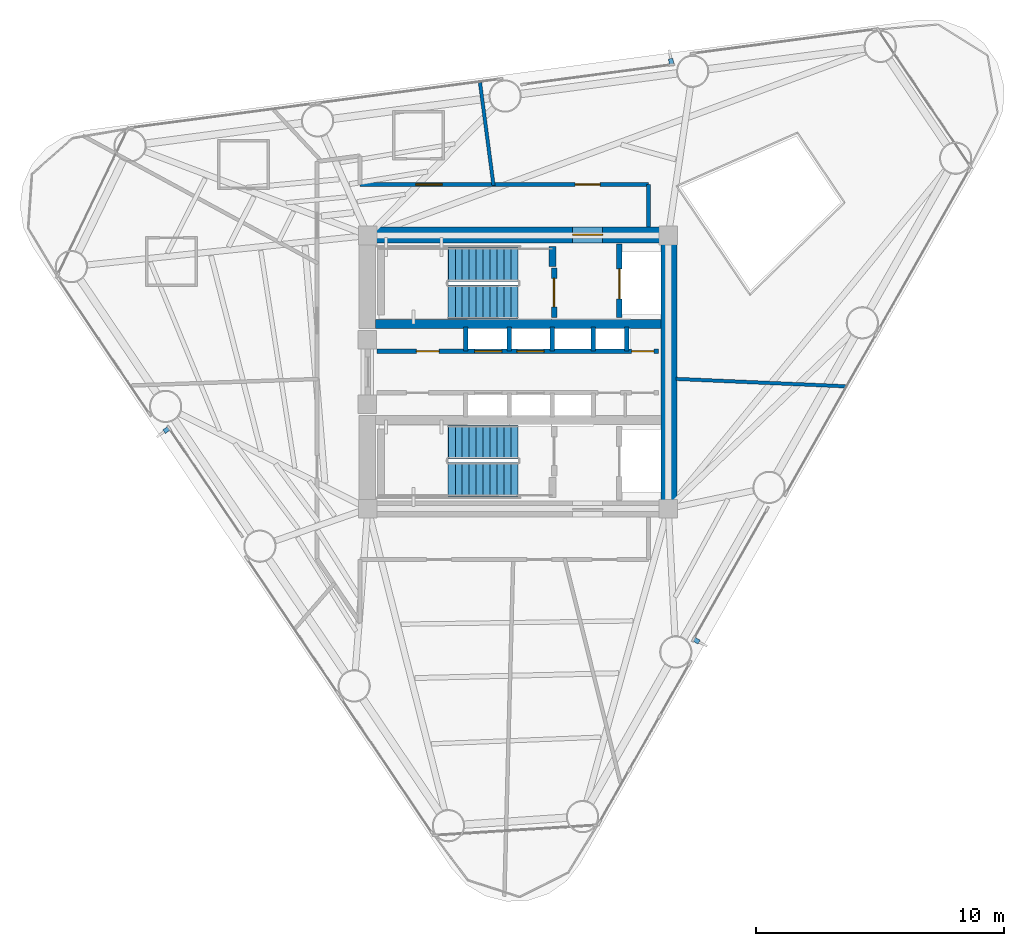
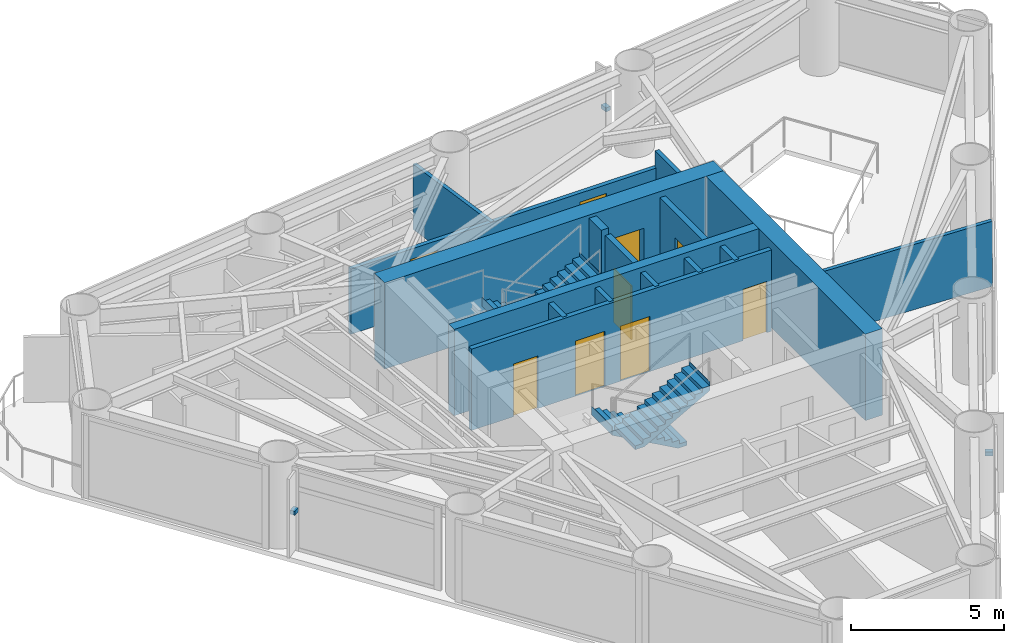
# One storey, part 6 of 9: 16 walls, 9 doors, 4 stair flights, 3 discrete accessories, 9 openings, 2 elements without a shape of their own.
"""IFC4 building model written with IfcOpenShell, lengths in metres."""

import ifcopenshell
import ifcopenshell.guid

model = None  # the IFC model being written
_history = None  # IfcOwnerHistory: only IFC2X3 demands one
_inside = {}  # id of a spatial element -> (the spatial element, [elements in it])
_under = {}  # id of a project, library or spatial element -> (it, [spatial elements below it])
_declared = {}  # id of a project -> (the project, [libraries it declares])
_typed = {}  # id of a type object -> (the type object, [elements of that type])
_made_of = {}  # id of a material, layer set ... -> (it, [elements and type objects made of it])


def new_model(schema):
    """Start an empty IFC model of exactly this schema.

    Asked for "IFC4X3", IfcOpenShell would pick the latest addendum, in which some entities
    have other attributes; the version numbers below select the first issue.
    IFC2X3 requires an IfcOwnerHistory on every rooted entity: one is made here for all.
    """
    global model, _history
    if schema == "IFC4X3":
        model = ifcopenshell.file(schema_version=(4, 3, 0, 0))
    else:
        model = ifcopenshell.file(schema=schema)
    _inside.clear()
    _under.clear()
    _declared.clear()
    _typed.clear()
    _made_of.clear()
    _history = None
    if model.schema == "IFC2X3":
        org = make("IfcOrganization", Name="unknown")
        user = make(
            "IfcPersonAndOrganization",
            ThePerson=make("IfcPerson", FamilyName="unknown"),
            TheOrganization=org,
        )
        app = make(
            "IfcApplication",
            ApplicationDeveloper=org,
            Version="unknown",
            ApplicationFullName="unknown",
            ApplicationIdentifier="unknown",
        )
        _history = make(
            "IfcOwnerHistory",
            OwningUser=user,
            OwningApplication=app,
            ChangeAction="ADDED",
            CreationDate=0,
        )
    return model


def make(cls, **values):
    """One entity of the class cls with the attributes given. An attribute that is None is left unset."""
    return model.create_entity(
        cls, **{name: value for name, value in values.items() if value is not None}
    )


def rooted(cls, **values):
    """An entity with a GlobalId (a new one), such as an element, a storey or a relation."""
    return make(cls, GlobalId=ifcopenshell.guid.new(), OwnerHistory=_history, **values)


def si_unit(unit_type, name, prefix=None):
    """IfcSIUnit, for example si_unit("LENGTHUNIT", "METRE", prefix="MILLI")."""
    return make("IfcSIUnit", UnitType=unit_type, Prefix=prefix, Name=name)


def assignment(units):
    """IfcUnitAssignment: the units of a project."""
    return None if units is None else make("IfcUnitAssignment", Units=units)


def point(xyz):
    """IfcCartesianPoint."""
    return None if xyz is None else make("IfcCartesianPoint", Coordinates=xyz)


def direction(xyz):
    """IfcDirection."""
    return None if xyz is None else make("IfcDirection", DirectionRatios=xyz)


def frame(location, z_axis=None, x_axis=None):
    """IfcAxis2Placement3D, a coordinate frame: its origin and axes. An axis left out is left unset."""
    return make(
        "IfcAxis2Placement3D",
        Location=point(location),
        Axis=direction(z_axis),
        RefDirection=direction(x_axis),
    )


def frame_2d(location, x_axis=None):
    """IfcAxis2Placement2D, a coordinate frame in the plane: its origin and x axis."""
    return make(
        "IfcAxis2Placement2D", Location=point(location), RefDirection=direction(x_axis)
    )


def origin():
    """The frame at (0, 0, 0) with its axes left unset."""
    return frame((0.0, 0.0, 0.0))


def origin_2d():
    """The frame at (0, 0) in the plane with its x axis left unset."""
    return frame_2d((0.0, 0.0))


def place(relative_to, where):
    """IfcLocalPlacement: puts the frame where relative to a parent placement (None: the world)."""
    return make(
        "IfcLocalPlacement", PlacementRelTo=relative_to, RelativePlacement=where
    )


def context(
    kind, dimensions, precision=None, world=None, true_north=None, identifier=None
):
    """IfcGeometricRepresentationContext, for example the 3D "Model" context."""
    return make(
        "IfcGeometricRepresentationContext",
        ContextIdentifier=identifier,
        ContextType=kind,
        CoordinateSpaceDimension=dimensions,
        Precision=precision,
        WorldCoordinateSystem=world,
        TrueNorth=true_north,
    )


def subcontext(parent, identifier, kind, view, scale=None):
    """IfcGeometricRepresentationSubContext, for example "Body" below "Model"."""
    return make(
        "IfcGeometricRepresentationSubContext",
        ContextIdentifier=identifier,
        ContextType=kind,
        ParentContext=parent,
        TargetScale=scale,
        TargetView=view,
    )


def project(units=None, contexts=None):
    """IfcProject with its units and contexts."""
    return rooted(
        "IfcProject",
        Name="project",
        RepresentationContexts=contexts,
        UnitsInContext=assignment(units),
    )


def spatial(cls, under=None, at=None, **own):
    """A site, building, storey or space (cls), placed at a placement, below another one or the project."""
    s = rooted(cls, ObjectPlacement=at, **own)
    if under is not None:
        _under.setdefault(under.id(), (under, []))[1].append(s)
    return s


def polyline(points):
    """IfcPolyline through the points."""
    return make("IfcPolyline", Points=[point(p) for p in points])


def profile(cls, at=None, kind="AREA", **sizes):
    """A parametric profile (cls). Its sizes go by their IFC names, for example OverallWidth=200.0."""
    return make(cls, ProfileType=kind, Position=at, **sizes)


def rectangle(**sizes):
    """IfcRectangleProfileDef."""
    return profile("IfcRectangleProfileDef", **sizes)


def outline(outer, holes=None, kind="AREA"):
    """IfcArbitraryClosedProfileDef: a profile drawn as a closed curve; with holes, ...WithVoids."""
    if holes is None:
        return make("IfcArbitraryClosedProfileDef", ProfileType=kind, OuterCurve=outer)
    return make(
        "IfcArbitraryProfileDefWithVoids",
        ProfileType=kind,
        OuterCurve=outer,
        InnerCurves=holes,
    )


def extrude(swept, where, along, depth):
    """IfcExtrudedAreaSolid: the profile swept, set in the frame where, extruded along a direction by depth."""
    return make(
        "IfcExtrudedAreaSolid",
        SweptArea=swept,
        Position=where,
        ExtrudedDirection=direction(along),
        Depth=depth,
    )


def shape(context_of_items, identifier, shape_type, items):
    """IfcShapeRepresentation: the items that make up one representation, for example the "Body"."""
    return make(
        "IfcShapeRepresentation",
        ContextOfItems=context_of_items,
        RepresentationIdentifier=identifier,
        RepresentationType=shape_type,
        Items=items,
    )


def source(mapping_origin, context_of_items, identifier, shape_type, items):
    """IfcRepresentationMap: a shape defined once, which mapped items show again and again."""
    return make(
        "IfcRepresentationMap",
        MappingOrigin=mapping_origin,
        MappedRepresentation=shape(context_of_items, identifier, shape_type, items),
    )


def transform(
    local_origin,
    x_axis=None,
    y_axis=None,
    z_axis=None,
    scale=None,
    scale2=None,
    scale3=None,
    uniform=True,
):
    """IfcCartesianTransformationOperator3D, or its non-uniform kind. x_axis, y_axis, z_axis: its Axis1, 2, 3."""
    if uniform:
        return make(
            "IfcCartesianTransformationOperator3D",
            Axis1=direction(x_axis),
            Axis2=direction(y_axis),
            LocalOrigin=point(local_origin),
            Scale=scale,
            Axis3=direction(z_axis),
        )
    return make(
        "IfcCartesianTransformationOperator3DnonUniform",
        Axis1=direction(x_axis),
        Axis2=direction(y_axis),
        LocalOrigin=point(local_origin),
        Scale=scale,
        Axis3=direction(z_axis),
        Scale2=scale2,
        Scale3=scale3,
    )


def mapped(mapping_source, mapping_target):
    """IfcMappedItem: shows the shape of a source again, moved by a transform."""
    return make(
        "IfcMappedItem", MappingSource=mapping_source, MappingTarget=mapping_target
    )


def material(Name=None, Category=None):
    """IfcMaterial."""
    return make("IfcMaterial", Name=Name, Category=Category)


def layer(
    of_material, thickness, ventilated=None, Name=None, Category=None, Priority=None
):
    """IfcMaterialLayer: one layer of a wall or slab, of a material (None: an air gap)."""
    return make(
        "IfcMaterialLayer",
        Material=of_material,
        LayerThickness=thickness,
        IsVentilated=ventilated,
        Name=Name,
        Category=Category,
        Priority=Priority,
    )


def layer_set(layers, Name=None):
    """IfcMaterialLayerSet."""
    return make("IfcMaterialLayerSet", MaterialLayers=layers, LayerSetName=Name)


def made_of(thing, what):
    """Note that an element or type object is made of a material, layer set ...; save() writes the relation."""
    if what is not None:
        _made_of.setdefault(what.id(), (what, []))[1].append(thing)
    return thing


def type_object(cls, material=None, **own):
    """A type object (cls), such as IfcWallType, which elements share."""
    return made_of(rooted(cls, **own), material)


def element(
    cls,
    number,
    at=None,
    inside=None,
    cuts=None,
    type_object=None,
    material=None,
    context=None,
    identifier="Body",
    shape_type=None,
    held_by="IfcProductDefinitionShape",
    body=None,
    shapes=None,
    **own,
):
    """One element of the class cls, such as IfcWall. Its Tag is "e" and its number.

    at: its placement. inside: the storey or other place that contains it. cuts: it is an
    opening in that element (IfcRelVoidsElement). A single representation is given by context,
    identifier, shape_type and body (its items); several are given by shapes. held_by: the class
    of the entity that holds the representations. save() writes the other relations.
    """
    e = rooted(cls, Tag="e%d" % number, ObjectPlacement=at, **own)
    if body is not None:
        shapes = [shape(context, identifier, shape_type, body)]
    if shapes is not None:
        e.Representation = make(held_by, Representations=shapes)
    if inside is not None:
        _inside.setdefault(inside.id(), (inside, []))[1].append(e)
    if cuts is not None:
        rooted(
            "IfcRelVoidsElement", RelatingBuildingElement=cuts, RelatedOpeningElement=e
        )
    if type_object is not None:
        _typed.setdefault(type_object.id(), (type_object, []))[1].append(e)
    return made_of(e, material)


def fill(opening, filler):
    """IfcRelFillsElement: the door or window that sits in an opening."""
    return rooted(
        "IfcRelFillsElement",
        RelatingOpeningElement=opening,
        RelatedBuildingElement=filler,
    )


def aggregate(whole, parts):
    """IfcRelAggregates: a whole, such as a stair, and the parts it consists of."""
    return rooted("IfcRelAggregates", RelatingObject=whole, RelatedObjects=parts)


def save(model, path):
    """Write the relations noted so far, then the file.

    IfcRelAggregates (storeys below a building ...), IfcRelContainedInSpatialStructure (elements
    in a storey), IfcRelDefinesByType, IfcRelAssociatesMaterial and IfcRelDeclares: one each for
    every whole, place, type object, material and project.
    """
    for whole, parts in _under.values():
        aggregate(whole, parts)
    for where, things in _inside.values():
        rooted(
            "IfcRelContainedInSpatialStructure",
            RelatedElements=things,
            RelatingStructure=where,
        )
    for kind, things in _typed.values():
        rooted("IfcRelDefinesByType", RelatedObjects=things, RelatingType=kind)
    for what, things in _made_of.values():
        rooted("IfcRelAssociatesMaterial", RelatedObjects=things, RelatingMaterial=what)
    for by, libraries in _declared.values():
        rooted("IfcRelDeclares", RelatingContext=by, RelatedDefinitions=libraries)
    model.write(path)


model = new_model("IFC4")

# Units and contexts
model_context = context("Model", 3, precision=1e-05, world=origin(), true_north=direction((0.0, 1.0)))
body_context = subcontext(model_context, "Body", "Model", "MODEL_VIEW")
ifc_project = project(units=[si_unit("LENGTHUNIT", "METRE"), si_unit("AREAUNIT", "SQUARE_METRE"), si_unit("VOLUMEUNIT", "CUBIC_METRE"), si_unit("PLANEANGLEUNIT", "RADIAN"), si_unit("MASSUNIT", "GRAM", prefix="KILO")], contexts=[model_context])

# Site, building, storey
site_placement = place(None, origin())
site = spatial("IfcSite", under=ifc_project, at=site_placement, CompositionType="ELEMENT")
building_placement = place(site_placement, origin())
building = spatial("IfcBuilding", under=site, at=building_placement, Name="Yunling Apex Tower", CompositionType="ELEMENT")
storey_placement = place(building_placement, frame((0.0, 0.0, 176.0)))
storey = spatial("IfcBuildingStorey", under=building, at=storey_placement, Name="L43", CompositionType="ELEMENT", Elevation=176.0)

# Wall, opening, door
ifc_material_1 = material(Name="Concrete C50", Category="concrete")
ifc_layer_1 = layer(ifc_material_1, 0.64990234375)
ifc_layer_set_1 = layer_set([ifc_layer_1], Name="Concrete C50")
wall_type_1 = type_object("IfcWallType", Name="WL-COR-2", PredefinedType="SHEAR", material=ifc_layer_set_1)
wall_1_placement = place(storey_placement, frame((-6.39990234375, 5.52490234375, 0.0), z_axis=(0.0, 0.0, 1.0), x_axis=(1.0, 0.0, 0.0)))
wall_1 = element("IfcWall", 1, at=wall_1_placement, inside=storey, type_object=wall_type_1, Name="L43 North Core Shear Wall", PredefinedType="SHEAR", context=body_context, shape_type="SweptSolid", body=[
    extrude(rectangle(XDim=12.7998046875, YDim=0.64990234375, at=frame_2d((6.39990234375, 0.0))), origin(), (0.0, 0.0, 1.0), 3.449951171875),
])
opening_1_placement = place(wall_1_placement, frame((8.60009765625, 0.0, 0.0)))
opening_1 = element("IfcOpeningElement", 2, at=opening_1_placement, cuts=wall_1, Name="Opening DR-FFL-1", PredefinedType="OPENING", context=body_context, shape_type="SweptSolid", body=[
    extrude(rectangle(XDim=1.199951171875, YDim=2.199951171875, at=frame_2d((0.60009765625, 1.10009765625))), frame((0.0, 0.3349609375, 0.0), z_axis=(0.0, -1.0, 0.0), x_axis=(1.0, 0.0, 0.0)), (0.0, 0.0, 1.0), 0.669921875),
])
ifc_material_2 = material(Name="Steel Q355B", Category="steel")
door_type_1 = type_object("IfcDoorType", Name="DR-FFL-1", OperationType="NOTDEFINED", PredefinedType="DOOR", material=ifc_material_2)
door_1_placement = place(opening_1_placement, origin())
door_1 = element("IfcDoor", 3, at=door_1_placement, inside=storey, type_object=door_type_1, Name="L43 North Firefighting Lobby Door", OperationType="SINGLE_SWING_LEFT", OverallHeight=2.199951171875, OverallWidth=1.199951171875, PredefinedType="DOOR", context=body_context, shape_type="SweptSolid", body=[
    extrude(rectangle(XDim=1.199951171875, YDim=2.199951171875, at=frame_2d((0.60009765625, 1.10009765625))), frame((0.0, 0.02490234375, 0.0), z_axis=(0.0, -1.0, 0.0), x_axis=(1.0, 0.0, 0.0)), (0.0, 0.0, 1.0), 0.050048828125),
])
fill(opening_1, door_1)

# Walls
wall_2_placement = place(storey_placement, frame((6.074951171875, -5.199951171875, 0.0), z_axis=(0.0, 0.0, 1.0), x_axis=(0.0, 1.0, 0.0)))
element("IfcWall", 4, at=wall_2_placement, inside=storey, type_object=wall_type_1, Name="L43 East Core Shear Wall", PredefinedType="SHEAR", context=body_context, shape_type="SweptSolid", body=[
    extrude(rectangle(XDim=10.39990234375, YDim=0.64990234375, at=frame_2d((5.199951171875, 0.0))), origin(), (0.0, 0.0, 1.0), 3.449951171875),
])
ifc_material_3 = material(Name="Concrete C40", Category="concrete")
ifc_layer_2 = layer(ifc_material_3, 0.360107421875)
ifc_layer_set_2 = layer_set([ifc_layer_2], Name="Concrete C40")
wall_type_2 = type_object("IfcWallType", Name="WL-COR-4", PredefinedType="SHEAR", material=ifc_layer_set_2)
wall_3_placement = place(storey_placement, frame((-5.75, 1.93994140625, 0.0), z_axis=(0.0, 0.0, 1.0), x_axis=(1.0, 0.0, 0.0)))
element("IfcWall", 5, at=wall_3_placement, inside=storey, type_object=wall_type_2, Name="L43 North Internal Core Shear Wall", PredefinedType="SHEAR", context=body_context, shape_type="SweptSolid", body=[
    extrude(rectangle(XDim=11.5, YDim=0.360107421875, at=frame_2d((5.75, 0.0))), origin(), (0.0, 0.0, 1.0), 3.449951171875),
])
ifc_layer_3 = layer(ifc_material_3, 0.280029296875)
ifc_layer_set_3 = layer_set([ifc_layer_3], Name="Concrete C40")
wall_type_3 = type_object("IfcWallType", Name="WL-COR-8", PredefinedType="SHEAR", material=ifc_layer_set_3)
wall_4_placement = place(storey_placement, frame((1.3798828125, 4.25, 0.0), z_axis=(0.0, 0.0, 1.0), x_axis=(0.0, 1.0, 0.0)))
element("IfcWall", 6, at=wall_4_placement, inside=storey, type_object=wall_type_3, Name="L43 ST-1 East Landing Bearing Pier", PredefinedType="SHEAR", context=body_context, shape_type="SweptSolid", body=[
    extrude(rectangle(XDim=0.800048828125, YDim=0.280029296875, at=frame_2d((0.39990234375, 0.0))), origin(), (0.0, 0.0, 1.0), 3.449951171875),
])

# Wall, openings, doors
ifc_material_4 = material(Name="Gypsum board acoustic partition")
ifc_layer_4 = layer(ifc_material_4, 0.159912109375)
ifc_layer_set_4 = layer_set([ifc_layer_4], Name="Gypsum board acoustic partition")
wall_type_4 = type_object("IfcWallType", Name="WL-PRT-1", PredefinedType="PARTITIONING", material=ifc_layer_set_4)
wall_5_placement = place(storey_placement, frame((-6.360107421875, 7.550048828125, 0.0), z_axis=(0.0, 0.0, 1.0), x_axis=(1.0, 0.0, 0.0)))
wall_5 = element("IfcWall", 7, at=wall_5_placement, inside=storey, type_object=wall_type_4, Name="WL-CORR-L43-06", PredefinedType="PARTITIONING", context=body_context, shape_type="SweptSolid", body=[
    extrude(rectangle(XDim=11.610107421875, YDim=0.159912109375, at=frame_2d((5.80517578125, 0.0))), origin(), (0.0, 0.0, 1.0), 2.60498046875),
])
opening_2_placement = place(wall_5_placement, frame((2.246337890625, 0.0, 0.0)))
opening_2 = element("IfcOpeningElement", 8, at=opening_2_placement, cuts=wall_5, Name="Opening DR-FL-1", PredefinedType="OPENING", context=body_context, shape_type="SweptSolid", body=[
    extrude(rectangle(XDim=1.050048828125, YDim=2.199951171875, at=frame_2d((0.52490234375, 1.10009765625))), frame((0.0, 0.08984375, 0.0), z_axis=(0.0, -1.0, 0.0), x_axis=(1.0, 0.0, 0.0)), (0.0, 0.0, 1.0), 0.179931640625),
])
opening_3_placement = place(wall_5_placement, frame((8.662109375, 0.0, 0.0)))
opening_3 = element("IfcOpeningElement", 9, at=opening_3_placement, cuts=wall_5, Name="Opening DR-OFF-1", PredefinedType="OPENING", context=body_context, shape_type="SweptSolid", body=[
    extrude(rectangle(XDim=1.0, YDim=2.25, at=frame_2d((0.5, 1.125))), frame((0.0, 0.08984375, 0.0), z_axis=(0.0, -1.0, 0.0), x_axis=(1.0, 0.0, 0.0)), (0.0, 0.0, 1.0), 0.179931640625),
])
ifc_material_5 = material(Name="Timber fire-rated leaf", Category="wood")
door_type_2 = type_object("IfcDoorType", Name="DR-FL-1", OperationType="NOTDEFINED", PredefinedType="DOOR", material=ifc_material_5)
door_2_placement = place(opening_2_placement, origin())
door_2 = element("IfcDoor", 10, at=door_2_placement, inside=storey, type_object=door_type_2, Name="L43 Hotel Suite Door", OperationType="SINGLE_SWING_RIGHT", OverallHeight=2.199951171875, OverallWidth=1.050048828125, PredefinedType="DOOR", context=body_context, shape_type="SweptSolid", body=[
    extrude(rectangle(XDim=1.050048828125, YDim=2.199951171875, at=frame_2d((0.52490234375, 1.10009765625))), frame((0.0, 0.02490234375, 0.0), z_axis=(0.0, -1.0, 0.0), x_axis=(1.0, 0.0, 0.0)), (0.0, 0.0, 1.0), 0.050048828125),
])
fill(opening_2, door_2)
ifc_material_6 = material(Name="Bronze anodised aluminium", Category="aluminium")
door_type_3 = type_object("IfcDoorType", Name="DR-OFF-1", OperationType="NOTDEFINED", PredefinedType="DOOR", material=ifc_material_6)
door_3_placement = place(opening_3_placement, origin())
door_3 = element("IfcDoor", 11, at=door_3_placement, inside=storey, type_object=door_type_3, Name="L43 Club Lounge Door", OperationType="SINGLE_SWING_LEFT", OverallHeight=2.25, OverallWidth=1.0, PredefinedType="DOOR", context=body_context, shape_type="SweptSolid", body=[
    extrude(rectangle(XDim=1.0, YDim=2.25, at=frame_2d((0.5, 1.125))), frame((0.0, 0.02490234375, 0.0), z_axis=(0.0, -1.0, 0.0), x_axis=(1.0, 0.0, 0.0)), (0.0, 0.0, 1.0), 0.050048828125),
])
fill(opening_3, door_3)

# Walls
wall_6_placement = place(storey_placement, frame((5.25, 7.550048828125, 0.0), z_axis=(0.0, 0.0, 1.0), x_axis=(0.0, -1.0, 0.0)))
element("IfcWall", 12, at=wall_6_placement, inside=storey, type_object=wall_type_4, Name="WL-CORR-L43-07", PredefinedType="PARTITIONING", context=body_context, shape_type="SweptSolid", body=[
    extrude(rectangle(XDim=1.699951171875, YDim=0.159912109375, at=frame_2d((0.85009765625, 0.0))), origin(), (0.0, 0.0, 1.0), 3.25),
])
ifc_layer_5 = layer(ifc_material_4, 0.139892578125)
ifc_layer_set_5 = layer_set([ifc_layer_5], Name="Gypsum board acoustic partition")
wall_type_5 = type_object("IfcWallType", Name="WL-PRT-2", PredefinedType="PARTITIONING", material=ifc_layer_set_5)
wall_7_placement = place(storey_placement, frame((6.360107421875, -0.277587890625, 0.0), z_axis=(0.0, 0.0, 1.0), x_axis=(0.999047983793, -0.043624833281, 0.0)))
element("IfcWall", 13, at=wall_7_placement, inside=storey, type_object=wall_type_5, Name="WL-RAD-L43-01", PredefinedType="PARTITIONING", context=body_context, shape_type="SweptSolid", body=[
    extrude(rectangle(XDim=6.833251953125, YDim=0.139892578125, at=frame_2d((3.41650390625, 0.0))), origin(), (0.0, 0.0, 1.0), 2.60498046875),
])
wall_8_placement = place(storey_placement, frame((-0.98876953125, 7.510009765625, 0.0), z_axis=(0.0, 0.0, 1.0), x_axis=(-0.130484717168, 0.991450320785, 0.0)))
element("IfcWall", 14, at=wall_8_placement, inside=storey, type_object=wall_type_5, Name="WL-RAD-L43-02", PredefinedType="PARTITIONING", context=body_context, shape_type="SweptSolid", body=[
    extrude(rectangle(XDim=4.181640625, YDim=0.139892578125, at=frame_2d((2.0908203125, 0.0))), origin(), (0.0, 0.0, 1.0), 2.60498046875),
])

# Wall, opening, door
ifc_material_7 = material(Name="Autoclaved aerated concrete masonry", Category="masonry")
ifc_layer_6 = layer(ifc_material_7, 0.219970703125)
ifc_layer_set_6 = layer_set([ifc_layer_6], Name="Autoclaved aerated concrete masonry")
wall_type_6 = type_object("IfcWallType", Name="WL-SHF-1", PredefinedType="PLUMBINGWALL", material=ifc_layer_set_6)
wall_9_placement = place(storey_placement, frame((1.449951171875, 2.199951171875, 0.0), z_axis=(0.0, 0.0, 1.0), x_axis=(0.0, 1.0, 0.0)))
wall_9 = element("IfcWall", 15, at=wall_9_placement, inside=storey, type_object=wall_type_6, Name="WL-ST1-E-L43", PredefinedType="PLUMBINGWALL", context=body_context, shape_type="SweptSolid", body=[
    extrude(rectangle(XDim=1.97998046875, YDim=0.219970703125, at=frame_2d((0.989990234375, 0.0))), origin(), (0.0, 0.0, 1.0), 3.25),
])
opening_4_placement = place(wall_9_placement, frame((0.419921875, 0.0, 0.0)))
opening_4 = element("IfcOpeningElement", 16, at=opening_4_placement, cuts=wall_9, Name="Opening DR-ST-1", PredefinedType="OPENING", context=body_context, shape_type="SweptSolid", body=[
    extrude(rectangle(XDim=1.14990234375, YDim=2.14990234375, at=frame_2d((0.574951171875, 1.074951171875))), frame((0.0, 0.1201171875, 0.0), z_axis=(0.0, -1.0, 0.0), x_axis=(1.0, 0.0, 0.0)), (0.0, 0.0, 1.0), 0.239990234375),
])
door_type_4 = type_object("IfcDoorType", Name="DR-ST-1", OperationType="NOTDEFINED", PredefinedType="DOOR", material=ifc_material_2)
door_4_placement = place(opening_4_placement, origin())
door_4 = element("IfcDoor", 17, at=door_4_placement, inside=storey, type_object=door_type_4, Name="L43 Stair ST-1 Fire Door", OperationType="SINGLE_SWING_LEFT", OverallHeight=2.14990234375, OverallWidth=1.14990234375, PredefinedType="DOOR", context=body_context, shape_type="SweptSolid", body=[
    extrude(rectangle(XDim=1.14990234375, YDim=2.14990234375, at=frame_2d((0.574951171875, 1.074951171875))), frame((0.0, 0.02490234375, 0.0), z_axis=(0.0, -1.0, 0.0), x_axis=(1.0, 0.0, 0.0)), (0.0, 0.0, 1.0), 0.050048828125),
])
fill(opening_4, door_4)

wall_10_placement = place(storey_placement, frame((4.080078125, 2.199951171875, 0.0), z_axis=(0.0, 0.0, 1.0), x_axis=(0.0, 1.0, 0.0)))
wall_10 = element("IfcWall", 18, at=wall_10_placement, inside=storey, type_object=wall_type_6, Name="WL-FFL1-W-L43", PredefinedType="PLUMBINGWALL", context=body_context, shape_type="SweptSolid", body=[
    extrude(rectangle(XDim=2.949951171875, YDim=0.219970703125, at=frame_2d((1.47509765625, 0.0))), origin(), (0.0, 0.0, 1.0), 3.25),
])
opening_5_placement = place(wall_10_placement, frame((0.75, 0.0, 0.0)))
opening_5 = element("IfcOpeningElement", 19, at=opening_5_placement, cuts=wall_10, Name="Opening LD-FFL-1", PredefinedType="OPENING", context=body_context, shape_type="SweptSolid", body=[
    extrude(rectangle(XDim=1.199951171875, YDim=2.25, at=frame_2d((0.60009765625, 1.125))), frame((0.0, 0.1201171875, 0.0), z_axis=(0.0, -1.0, 0.0), x_axis=(1.0, 0.0, 0.0)), (0.0, 0.0, 1.0), 0.239990234375),
])
door_type_5 = type_object("IfcDoorType", Name="LD-FFL-1", OperationType="DOUBLE_DOOR_SLIDING", PredefinedType="DOOR", material=ifc_material_2)
door_5_placement = place(opening_5_placement, origin())
door_5 = element("IfcDoor", 20, at=door_5_placement, inside=storey, type_object=door_type_5, Name="L43 Lift FFL-1 Landing Door", OperationType="DOUBLE_DOOR_SLIDING", OverallHeight=2.25, OverallWidth=1.199951171875, PredefinedType="DOOR", context=body_context, shape_type="SweptSolid", body=[
    extrude(rectangle(XDim=1.199951171875, YDim=2.25, at=frame_2d((0.60009765625, 1.125))), frame((0.0, 0.02490234375, 0.0), z_axis=(0.0, -1.0, 0.0), x_axis=(1.0, 0.0, 0.0)), (0.0, 0.0, 1.0), 0.050048828125),
])
fill(opening_5, door_5)

# Walls
ifc_layer_7 = layer(ifc_material_7, 0.179931640625)
ifc_layer_set_7 = layer_set([ifc_layer_7], Name="Autoclaved aerated concrete masonry")
wall_type_7 = type_object("IfcWallType", Name="WL-SHF-2", PredefinedType="PLUMBINGWALL", material=ifc_layer_set_7)
for number, where, z_axis, x_axis, name in (
    (21, (-2.10009765625, 0.840087890625, 0.0), (0.0, 0.0, 1.0), (0.0, 1.0, 0.0), "WL-BNK-LM-N-L43"),
    (22, (-0.35009765625, 0.840087890625, 0.0), (0.0, 0.0, 1.0), (0.0, 1.0, 0.0), "WL-DIV-M12-L43"),
    (23, (1.3798828125, 0.840087890625, 0.0), (0.0, 0.0, 1.0), (0.0, 1.0, 0.0), "WL-BNK-MH-N-L43"),
    (24, (3.02001953125, 0.840087890625, 0.0), (0.0, 0.0, 1.0), (0.0, 1.0, 0.0), "WL-DIV-H13-L43"),
    (25, (4.3798828125, 0.840087890625, 0.0), (0.0, 0.0, 1.0), (0.0, 1.0, 0.0), "WL-END-H3E-L43"),
):
    element("IfcWall", number, at=place(storey_placement, frame(where, z_axis=z_axis, x_axis=x_axis)), inside=storey, type_object=wall_type_7, Name=name, PredefinedType="PLUMBINGWALL", context=body_context, shape_type="SweptSolid", body=[
        extrude(rectangle(XDim=0.97998046875, YDim=0.179931640625, at=frame_2d((0.489990234375, 0.0))), origin(), (0.0, 0.0, 1.0), 3.25),
    ])

# Wall, openings, doors
wall_11_placement = place(storey_placement, frame((-5.679931640625, 0.840087890625, 0.0), z_axis=(0.0, 0.0, 1.0), x_axis=(1.0, 0.0, 0.0)))
wall_11 = element("IfcWall", 26, at=wall_11_placement, inside=storey, type_object=wall_type_7, Name="WL-LOB-N-L43", PredefinedType="PLUMBINGWALL", context=body_context, shape_type="SweptSolid", body=[
    extrude(rectangle(XDim=11.329833984375, YDim=0.179931640625, at=frame_2d((5.6650390625, 0.0))), origin(), (0.0, 0.0, 1.0), 3.25),
])
opening_6_placement = place(wall_11_placement, frame((1.580078125, 0.0, 0.0)))
opening_6 = element("IfcOpeningElement", 27, at=opening_6_placement, cuts=wall_11, Name="Opening DR-WC-1", PredefinedType="OPENING", context=body_context, shape_type="SweptSolid", body=[
    extrude(rectangle(XDim=0.919921875, YDim=2.10009765625, at=frame_2d((0.4599609375, 1.050048828125))), frame((0.0, 0.10009765625, 0.0), z_axis=(0.0, -1.0, 0.0), x_axis=(1.0, 0.0, 0.0)), (0.0, 0.0, 1.0), 0.199951171875),
])
opening_7_placement = place(wall_11_placement, frame((3.929931640625, 0.0, 0.0)))
opening_7 = element("IfcOpeningElement", 28, at=opening_7_placement, cuts=wall_11, Name="Opening LD-PAS-1", PredefinedType="OPENING", context=body_context, shape_type="SweptSolid", body=[
    extrude(rectangle(XDim=1.10009765625, YDim=2.199951171875, at=frame_2d((0.550048828125, 1.10009765625))), frame((0.0, 0.10009765625, 0.0), z_axis=(0.0, -1.0, 0.0), x_axis=(1.0, 0.0, 0.0)), (0.0, 0.0, 1.0), 0.199951171875),
])
opening_8_placement = place(wall_11_placement, frame((5.6298828125, 0.0, 0.0)))
opening_8 = element("IfcOpeningElement", 29, at=opening_8_placement, cuts=wall_11, Name="Opening LD-PAS-1", PredefinedType="OPENING", context=body_context, shape_type="SweptSolid", body=[
    extrude(rectangle(XDim=1.10009765625, YDim=2.199951171875, at=frame_2d((0.550048828125, 1.10009765625))), frame((0.0, 0.10009765625, 0.0), z_axis=(0.0, -1.0, 0.0), x_axis=(1.0, 0.0, 0.0)), (0.0, 0.0, 1.0), 0.199951171875),
])
opening_9_placement = place(wall_11_placement, frame((10.25, 0.0, 0.0)))
opening_9 = element("IfcOpeningElement", 30, at=opening_9_placement, cuts=wall_11, Name="Opening DR-SHF-1", PredefinedType="OPENING", context=body_context, shape_type="SweptSolid", body=[
    extrude(rectangle(XDim=0.89990234375, YDim=2.050048828125, at=frame_2d((0.449951171875, 1.02490234375))), frame((0.0, 0.10009765625, 0.0), z_axis=(0.0, -1.0, 0.0), x_axis=(1.0, 0.0, 0.0)), (0.0, 0.0, 1.0), 0.199951171875),
])
door_type_6 = type_object("IfcDoorType", Name="DR-SHF-1", OperationType="NOTDEFINED", PredefinedType="DOOR", material=ifc_material_2)
door_6_placement = place(opening_9_placement, origin())
door_6 = element("IfcDoor", 31, at=door_6_placement, inside=storey, type_object=door_type_6, Name="L43 Floor Supply Store Door", OperationType="SINGLE_SWING_RIGHT", OverallHeight=2.050048828125, OverallWidth=0.89990234375, PredefinedType="DOOR", context=body_context, shape_type="SweptSolid", body=[
    extrude(rectangle(XDim=0.89990234375, YDim=2.050048828125, at=frame_2d((0.449951171875, 1.02490234375))), frame((0.0, 0.02490234375, 0.0), z_axis=(0.0, -1.0, 0.0), x_axis=(1.0, 0.0, 0.0)), (0.0, 0.0, 1.0), 0.050048828125),
])
fill(opening_9, door_6)
ifc_material_8 = material(Name="Timber moisture-resistant leaf", Category="wood")
door_type_7 = type_object("IfcDoorType", Name="DR-WC-1", OperationType="NOTDEFINED", PredefinedType="DOOR", material=ifc_material_8)
door_7_placement = place(opening_6_placement, origin())
door_7 = element("IfcDoor", 32, at=door_7_placement, inside=storey, type_object=door_type_7, Name="L43 Floor Staff WC Door", OperationType="SINGLE_SWING_LEFT", OverallHeight=2.10009765625, OverallWidth=0.919921875, PredefinedType="DOOR", context=body_context, shape_type="SweptSolid", body=[
    extrude(rectangle(XDim=0.919921875, YDim=2.10009765625, at=frame_2d((0.4599609375, 1.050048828125))), frame((0.0, 0.02490234375, 0.0), z_axis=(0.0, -1.0, 0.0), x_axis=(1.0, 0.0, 0.0)), (0.0, 0.0, 1.0), 0.050048828125),
])
fill(opening_6, door_7)
ifc_material_9 = material(Name="Silver anodised aluminium", Category="aluminium")
door_type_8 = type_object("IfcDoorType", Name="LD-PAS-1", OperationType="DOUBLE_DOOR_SLIDING", PredefinedType="DOOR", material=ifc_material_9)
door_8_placement = place(opening_7_placement, origin())
door_8 = element("IfcDoor", 33, at=door_8_placement, inside=storey, type_object=door_type_8, Name="L43 Lift PL-M1 Landing Door", OperationType="DOUBLE_DOOR_SLIDING", OverallHeight=2.199951171875, OverallWidth=1.10009765625, PredefinedType="DOOR", context=body_context, shape_type="SweptSolid", body=[
    extrude(rectangle(XDim=1.10009765625, YDim=2.199951171875, at=frame_2d((0.550048828125, 1.10009765625))), frame((0.0, 0.02490234375, 0.0), z_axis=(0.0, -1.0, 0.0), x_axis=(1.0, 0.0, 0.0)), (0.0, 0.0, 1.0), 0.050048828125),
])
fill(opening_7, door_8)
door_9_placement = place(opening_8_placement, origin())
door_9 = element("IfcDoor", 34, at=door_9_placement, inside=storey, type_object=door_type_8, Name="L43 Lift PL-M2 Landing Door", OperationType="DOUBLE_DOOR_SLIDING", OverallHeight=2.199951171875, OverallWidth=1.10009765625, PredefinedType="DOOR", context=body_context, shape_type="SweptSolid", body=[
    extrude(rectangle(XDim=1.10009765625, YDim=2.199951171875, at=frame_2d((0.550048828125, 1.10009765625))), frame((0.0, 0.02490234375, 0.0), z_axis=(0.0, -1.0, 0.0), x_axis=(1.0, 0.0, 0.0)), (0.0, 0.0, 1.0), 0.050048828125),
])
fill(opening_8, door_9)

# Stair, stair flights
stair_type = type_object("IfcStairType", Name="ST-TWR-2", PredefinedType="HALF_TURN_STAIR", material=ifc_material_3)
stair_1_placement = place(storey_placement, origin())
stair_1 = element("IfcStair", 35, at=stair_1_placement, inside=storey, type_object=stair_type, Name="L43 North Core Smokeproof Exit Stair ST-1", PredefinedType="HALF_TURN_STAIR")
stair_flight_type = type_object("IfcStairFlightType", Name="SFL-TWR-2", PredefinedType="STRAIGHT", material=ifc_material_3)
stair_flight_1_placement = place(storey_placement, frame((-0.010009765625, 4.330078125, 0.0), z_axis=(0.0, 0.0, 1.0), x_axis=(-1.0, 0.0, 0.0)))
stair_flight_1 = element("IfcStairFlight", 36, at=stair_flight_1_placement, type_object=stair_flight_type, Name="ST-1 flight 1", NumberOfRisers=11, NumberOfTreads=10, PredefinedType="STRAIGHT", RiserHeight=0.156818182, TreadLength=0.28, context=body_context, shape_type="SweptSolid", body=[
    extrude(outline(polyline([(-0.011962890625, 0.0), (-0.011962890625, 0.15673828125), (0.0, 0.15673828125), (0.280029296875, 0.15673828125), (0.280029296875, 0.313720703125), (0.56005859375, 0.313720703125), (0.56005859375, 0.470458984375), (0.840087890625, 0.470458984375), (0.840087890625, 0.627197265625), (1.1201171875, 0.627197265625), (1.1201171875, 0.7841796875), (1.39990234375, 0.7841796875), (1.39990234375, 0.94091796875), (1.679931640625, 0.94091796875), (1.679931640625, 1.09765625), (1.9599609375, 1.09765625), (1.9599609375, 1.254638671875), (2.239990234375, 1.254638671875), (2.239990234375, 1.411376953125), (2.52001953125, 1.411376953125), (2.52001953125, 1.568115234375), (2.800048828125, 1.568115234375), (2.800048828125, 1.72509765625), (2.81201171875, 1.72509765625), (2.81201171875, 1.385009765625), (0.3271484375, 0.0), (-0.011962890625, 0.0)])), frame((0.0, 0.68017578125, 0.0), z_axis=(0.0, -1.0, 0.0), x_axis=(1.0, 0.0, 0.0)), (0.0, 0.0, 1.0), 1.360107421875),
])
stair_flight_2_placement = place(storey_placement, frame((-2.81005859375, 2.820068359375, 1.72509765625), z_axis=(0.0, 0.0, 1.0), x_axis=(1.0, 0.0, 0.0)))
stair_flight_2 = element("IfcStairFlight", 37, at=stair_flight_2_placement, type_object=stair_flight_type, Name="ST-1 flight 2", NumberOfRisers=11, NumberOfTreads=10, PredefinedType="STRAIGHT", RiserHeight=0.156818182, TreadLength=0.28, context=body_context, shape_type="SweptSolid", body=[
    extrude(outline(polyline([(-0.011962890625, 0.0), (-0.011962890625, 0.15673828125), (0.0, 0.15673828125), (0.280029296875, 0.15673828125), (0.280029296875, 0.313720703125), (0.56005859375, 0.313720703125), (0.56005859375, 0.470458984375), (0.840087890625, 0.470458984375), (0.840087890625, 0.627197265625), (1.1201171875, 0.627197265625), (1.1201171875, 0.7841796875), (1.39990234375, 0.7841796875), (1.39990234375, 0.94091796875), (1.679931640625, 0.94091796875), (1.679931640625, 1.09765625), (1.9599609375, 1.09765625), (1.9599609375, 1.254638671875), (2.239990234375, 1.254638671875), (2.239990234375, 1.411376953125), (2.52001953125, 1.411376953125), (2.52001953125, 1.568115234375), (2.800048828125, 1.568115234375), (2.800048828125, 1.72509765625), (2.81201171875, 1.72509765625), (2.81201171875, 1.385009765625), (0.3271484375, 0.0), (-0.011962890625, 0.0)])), frame((0.0, 0.68017578125, 0.0), z_axis=(0.0, -1.0, 0.0), x_axis=(1.0, 0.0, 0.0)), (0.0, 0.0, 1.0), 1.360107421875),
])
aggregate(stair_1, [stair_flight_1, stair_flight_2])

stair_2_placement = place(storey_placement, origin())
stair_2 = element("IfcStair", 38, at=stair_2_placement, inside=storey, type_object=stair_type, Name="L43 South Core Smokeproof Exit Stair ST-2", PredefinedType="HALF_TURN_STAIR")
stair_flight_3_placement = place(storey_placement, frame((-0.010009765625, -2.820068359375, 0.0), z_axis=(0.0, 0.0, 1.0), x_axis=(-1.0, 0.0, 0.0)))
stair_flight_3 = element("IfcStairFlight", 39, at=stair_flight_3_placement, type_object=stair_flight_type, Name="ST-2 flight 1", NumberOfRisers=11, NumberOfTreads=10, PredefinedType="STRAIGHT", RiserHeight=0.156818182, TreadLength=0.28, context=body_context, shape_type="SweptSolid", body=[
    extrude(outline(polyline([(-0.011962890625, 0.0), (-0.011962890625, 0.15673828125), (0.0, 0.15673828125), (0.280029296875, 0.15673828125), (0.280029296875, 0.313720703125), (0.56005859375, 0.313720703125), (0.56005859375, 0.470458984375), (0.840087890625, 0.470458984375), (0.840087890625, 0.627197265625), (1.1201171875, 0.627197265625), (1.1201171875, 0.7841796875), (1.39990234375, 0.7841796875), (1.39990234375, 0.94091796875), (1.679931640625, 0.94091796875), (1.679931640625, 1.09765625), (1.9599609375, 1.09765625), (1.9599609375, 1.254638671875), (2.239990234375, 1.254638671875), (2.239990234375, 1.411376953125), (2.52001953125, 1.411376953125), (2.52001953125, 1.568115234375), (2.800048828125, 1.568115234375), (2.800048828125, 1.72509765625), (2.81201171875, 1.72509765625), (2.81201171875, 1.385009765625), (0.3271484375, 0.0), (-0.011962890625, 0.0)])), frame((0.0, 0.68017578125, 0.0), z_axis=(0.0, -1.0, 0.0), x_axis=(1.0, 0.0, 0.0)), (0.0, 0.0, 1.0), 1.360107421875),
])
stair_flight_4_placement = place(storey_placement, frame((-2.81005859375, -4.330078125, 1.72509765625), z_axis=(0.0, 0.0, 1.0), x_axis=(1.0, 0.0, 0.0)))
stair_flight_4 = element("IfcStairFlight", 40, at=stair_flight_4_placement, type_object=stair_flight_type, Name="ST-2 flight 2", NumberOfRisers=11, NumberOfTreads=10, PredefinedType="STRAIGHT", RiserHeight=0.156818182, TreadLength=0.28, context=body_context, shape_type="SweptSolid", body=[
    extrude(outline(polyline([(-0.011962890625, 0.0), (-0.011962890625, 0.15673828125), (0.0, 0.15673828125), (0.280029296875, 0.15673828125), (0.280029296875, 0.313720703125), (0.56005859375, 0.313720703125), (0.56005859375, 0.470458984375), (0.840087890625, 0.470458984375), (0.840087890625, 0.627197265625), (1.1201171875, 0.627197265625), (1.1201171875, 0.7841796875), (1.39990234375, 0.7841796875), (1.39990234375, 0.94091796875), (1.679931640625, 0.94091796875), (1.679931640625, 1.09765625), (1.9599609375, 1.09765625), (1.9599609375, 1.254638671875), (2.239990234375, 1.254638671875), (2.239990234375, 1.411376953125), (2.52001953125, 1.411376953125), (2.52001953125, 1.568115234375), (2.800048828125, 1.568115234375), (2.800048828125, 1.72509765625), (2.81201171875, 1.72509765625), (2.81201171875, 1.385009765625), (0.3271484375, 0.0), (-0.011962890625, 0.0)])), frame((0.0, 0.68017578125, 0.0), z_axis=(0.0, -1.0, 0.0), x_axis=(1.0, 0.0, 0.0)), (0.0, 0.0, 1.0), 1.360107421875),
])
aggregate(stair_2, [stair_flight_3, stair_flight_4])

# Discrete accessories
discrete_accessory_type = type_object("IfcDiscreteAccessoryType", Name="BK-FIN-1", PredefinedType="BRACKET", material=ifc_material_2)
shared_shape = source(origin(), body_context, "Body", "SweptSolid", [
    extrude(rectangle(XDim=0.179931640625, YDim=0.260009765625, at=origin_2d()), origin(), (0.0, 0.0, 1.0), 0.159912109375),
])
for number, where, z_axis, x_axis, name in (
    (41, (7.177490234375, -10.814697265625, 1.55517578125), (0.0, 0.0, 1.0), (0.493031062956, 0.87001170737, 0.0), "CW-L43-F1-B2-BRK-01-1"),
    (42, (6.164794921875, 12.493408203125, 1.55517578125), (0.0, 0.0, 1.0), (-0.9913534953, -0.131218319443, 0.0), "CW-L43-F2-B2-BRK-01-1"),
    (43, (-14.15087890625, -2.33056640625, 1.55517578125), (0.0, 0.0, 1.0), (0.559192903471, -0.829037572555, 0.0), "CW-L43-F3-B2-BRK-01-1"),
):
    element("IfcDiscreteAccessory", number, at=place(storey_placement, frame(where, z_axis=z_axis, x_axis=x_axis)), inside=storey, type_object=discrete_accessory_type, Name=name, PredefinedType="BRACKET", context=body_context, shape_type="MappedRepresentation", body=[
        mapped(shared_shape, transform((0.0, 0.0, 0.0), scale=1.0)),
    ])

save(model, "model.ifc")
